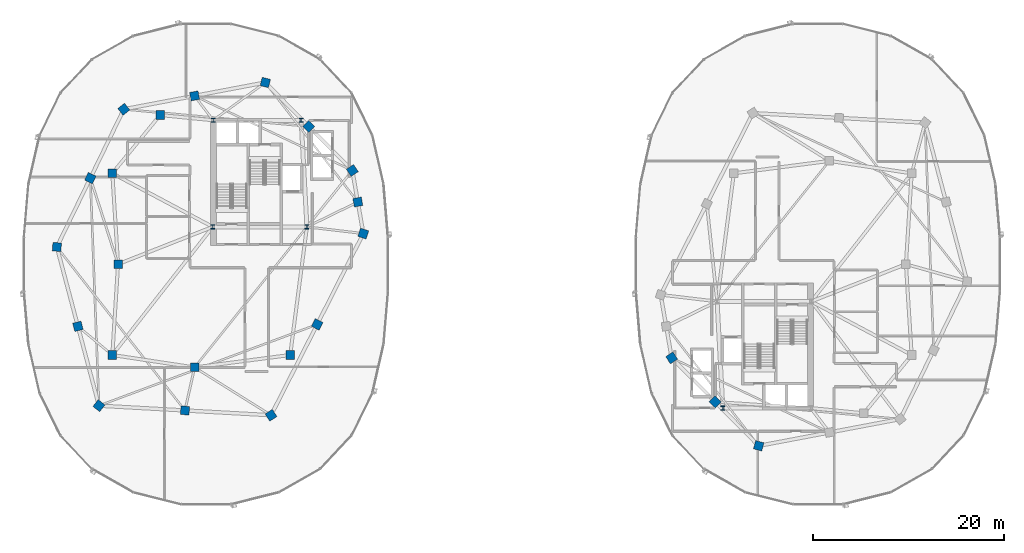
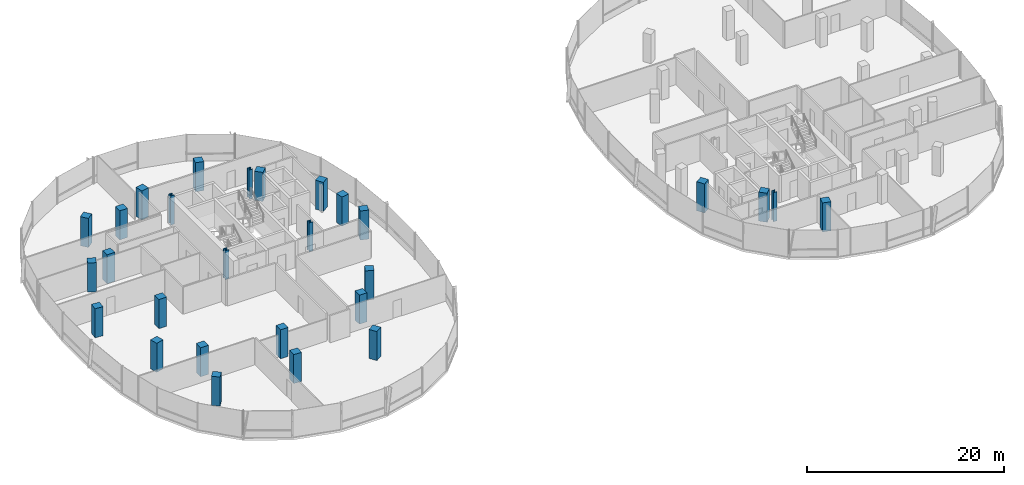
# One storey, part 1 of 25: 28 columns.
"""IFC4 building model written with IfcOpenShell, lengths in metres."""

from ifc_helpers import new_model, si_unit, direction, frame, origin, origin_2d, place, context, subcontext, project, spatial, rectangle, i_section, extrude, material, material_profile, profile_set, type_object, element, save


model = new_model("IFC4")

# Units and contexts
model_context = context("Model", 3, precision=1e-05, world=origin(), true_north=direction((0.0, 1.0)))
body_context = subcontext(model_context, "Body", "Model", "MODEL_VIEW")
ifc_project = project(units=[si_unit("LENGTHUNIT", "METRE"), si_unit("AREAUNIT", "SQUARE_METRE"), si_unit("VOLUMEUNIT", "CUBIC_METRE"), si_unit("PLANEANGLEUNIT", "RADIAN"), si_unit("MASSUNIT", "GRAM", prefix="KILO"), si_unit("THERMODYNAMICTEMPERATUREUNIT", "KELVIN"), si_unit("POWERUNIT", "WATT")], contexts=[model_context])

# Site, building, storey
site_placement = place(None, origin())
site = spatial("IfcSite", under=ifc_project, at=site_placement, CompositionType="ELEMENT")
building_placement = place(site_placement, origin())
building = spatial("IfcBuilding", under=site, at=building_placement, Name="Cundina Bronze Exchange", CompositionType="ELEMENT")
storey_placement = place(building_placement, frame((0.0, 0.0, 217.0)))
storey = spatial("IfcBuildingStorey", under=building, at=storey_placement, Name="L57", CompositionType="ELEMENT", Elevation=217.0)

# Columns
ifc_material_1 = material(Name="Steel ASTM A992 Grade 50", Category="steel")
ifc_material_profile_1 = material_profile(ifc_material_1, i_section(OverallWidth=0.416015625, OverallDepth=0.446044921875, WebThickness=0.0390625, FlangeThickness=0.062744140625, FilletRadius=0.01806640625, at=origin_2d()), Name="W14X342", Category="steel")
ifc_profile_set_1 = profile_set([ifc_material_profile_1], Name="Steel ASTM A992 Grade 50")
column_type_1 = type_object("IfcColumnType", Name="COL-STL-W14B", PredefinedType="COLUMN", material=ifc_profile_set_1)
for number, where, z_axis, x_axis, name in (
    (1, (-31.300048828125, 3.89990234375, 0.0), (0.0, 0.0, 1.0), (1.0, 0.0, 0.0), "L57 Core Anchor Column W1"),
    (2, (-21.449951171875, 3.89990234375, 0.0), (0.0, 0.0, 1.0), (1.0, 0.0, 0.0), "L57 Core Anchor Column W2"),
    (3, (-22.050048828125, 15.050048828125, 0.0), (0.0, 0.0, 1.0), (1.0, 0.0, 0.0), "L57 Core Anchor Column W3"),
    (4, (-31.25, 15.050048828125, 0.0), (0.0, 0.0, 1.0), (1.0, 0.0, 0.0), "L57 Core Anchor Column W4"),
    (5, (22.050048828125, -15.050048828125, 0.0), (0.0, 0.0, 1.0), (1.0, 0.0, 0.0), "L57 Core Anchor Column E3"),
):
    element("IfcColumn", number, at=place(storey_placement, frame(where, z_axis=z_axis, x_axis=x_axis)), inside=storey, type_object=column_type_1, Name=name, PredefinedType="COLUMN", context=body_context, shape_type="SweptSolid", body=[
        extrude(i_section(OverallWidth=0.416015625, OverallDepth=0.446044921875, WebThickness=0.0390625, FlangeThickness=0.062744140625, FilletRadius=0.01806640625, at=origin_2d()), origin(), (0.0, 0.0, 1.0), 3.60009765625),
    ])
ifc_material_2 = material(Name="Concrete C50/60", Category="concrete")
ifc_material_profile_2 = material_profile(ifc_material_2, rectangle(XDim=0.89990234375, YDim=0.89990234375, at=origin_2d()), Name="RC900X900", Category="concrete")
ifc_profile_set_2 = profile_set([ifc_material_profile_2], Name="Concrete C50/60")
column_type_2 = type_object("IfcColumnType", Name="COL-Z4-900", PredefinedType="COLUMN", material=ifc_profile_set_2)
for number, where, z_axis, x_axis, name in (
    (6, (-41.199951171875, 0.0, 0.0), (0.0, 0.0, 1.0), (1.0, 0.0, 0.0), "L57 W Inner Ring Column 1"),
    (7, (-41.800048828125, 9.5, 0.0), (0.0, 0.0, 1.0), (1.0, 0.0, 0.0), "L57 W Inner Ring Column 2"),
    (8, (-36.800048828125, 15.60009765625, 0.0), (0.0, 0.0, 1.0), (1.0, 0.0, 0.0), "L57 W Inner Ring Column 3"),
    (9, (-41.800048828125, -9.5, 0.0), (0.0, 0.0, 1.0), (1.0, 0.0, 0.0), "L57 W Inner Ring Column 4"),
    (10, (-33.199951171875, -10.800048828125, 0.0), (0.0, 0.0, 1.0), (1.0, 0.0, 0.0), "L57 W Inner Ring Column 5"),
    (11, (-23.199951171875, -9.5, 0.0), (0.0, 0.0, 1.0), (1.0, 0.0, 0.0), "L57 W Inner Ring Column 6"),
    (12, (-15.550048828125, 3.199951171875, 0.0), (0.0, 0.0, 1.0), (0.315152163383, 0.949041155016, 0.0), "L57 W Perimeter Column 00"),
    (13, (-16.125, 6.5, 0.0), (0.0, 0.0, 1.0), (-0.171585221787, 0.985169280715, 0.0), "L57 W Perimeter Column 01"),
    (14, (-16.699951171875, 9.800048828125, 0.0), (0.0, 0.0, 1.0), (-0.544199833495, 0.838955625301, 0.0), "L57 W Perimeter Column 02"),
    (15, (-21.25, 14.39990234375, 0.0), (0.0, 0.0, 1.0), (-0.703270634186, 0.710922228581, 0.0), "L57 W Perimeter Column 03"),
    (16, (-25.800048828125, 19.0, 0.0), (0.0, 0.0, 1.0), (-0.965970984022, 0.258650455301, 0.0), "L57 W Perimeter Column 04"),
    (17, (-33.199951171875, 17.60009765625, 0.0), (0.0, 0.0, 1.0), (-0.98258037664, -0.185838110843, 0.0), "L57 W Perimeter Column 05"),
    (18, (-40.60009765625, 16.199951171875, 0.0), (0.0, 0.0, 1.0), (-0.785100778485, -0.619368038909, 0.0), "L57 W Perimeter Column 06"),
    (19, (-44.10009765625, 9.0, 0.0), (0.0, 0.0, 1.0), (-0.437115766651, -0.899405251566, 0.0), "L57 W Perimeter Column 07"),
    (20, (-47.60009765625, 1.800048828125, 0.0), (0.0, 0.0, 1.0), (-0.083503921245, -0.996507448611, 0.0), "L57 W Perimeter Column 08"),
    (21, (-45.39990234375, -6.5, 0.0), (0.0, 0.0, 1.0), (0.256289373133, -0.966600102017, 0.0), "L57 W Perimeter Column 09"),
    (22, (-43.199951171875, -14.800048828125, 0.0), (0.0, 0.0, 1.0), (0.786288432137, -0.61785961309, 0.0), "L57 W Perimeter Column 10"),
    (23, (-34.199951171875, -15.300048828125, 0.0), (0.0, 0.0, 1.0), (0.998460188734, -0.055472980025, 0.0), "L57 W Perimeter Column 11"),
    (24, (-25.199951171875, -15.800048828125, 0.0), (0.0, 0.0, 1.0), (0.838099763533, 0.545516989988, 0.0), "L57 W Perimeter Column 12"),
    (25, (-20.375, -6.300048828125, 0.0), (0.0, 0.0, 1.0), (0.452901591366, 0.891560513111, 0.0), "L57 W Perimeter Column 13"),
    (26, (16.699951171875, -9.800048828125, 0.0), (0.0, 0.0, 1.0), (0.544199833495, -0.838955625301, 0.0), "L57 E Perimeter Column 02"),
    (27, (21.25, -14.39990234375, 0.0), (0.0, 0.0, 1.0), (0.703270634186, -0.710922228581, 0.0), "L57 E Perimeter Column 03"),
    (28, (25.800048828125, -19.0, 0.0), (0.0, 0.0, 1.0), (0.965970984022, -0.258650455301, 0.0), "L57 E Perimeter Column 04"),
):
    element("IfcColumn", number, at=place(storey_placement, frame(where, z_axis=z_axis, x_axis=x_axis)), inside=storey, type_object=column_type_2, Name=name, PredefinedType="COLUMN", context=body_context, shape_type="SweptSolid", body=[
        extrude(rectangle(XDim=0.89990234375, YDim=0.89990234375, at=origin_2d()), origin(), (0.0, 0.0, 1.0), 3.60009765625),
    ])

save(model, "model.ifc")
